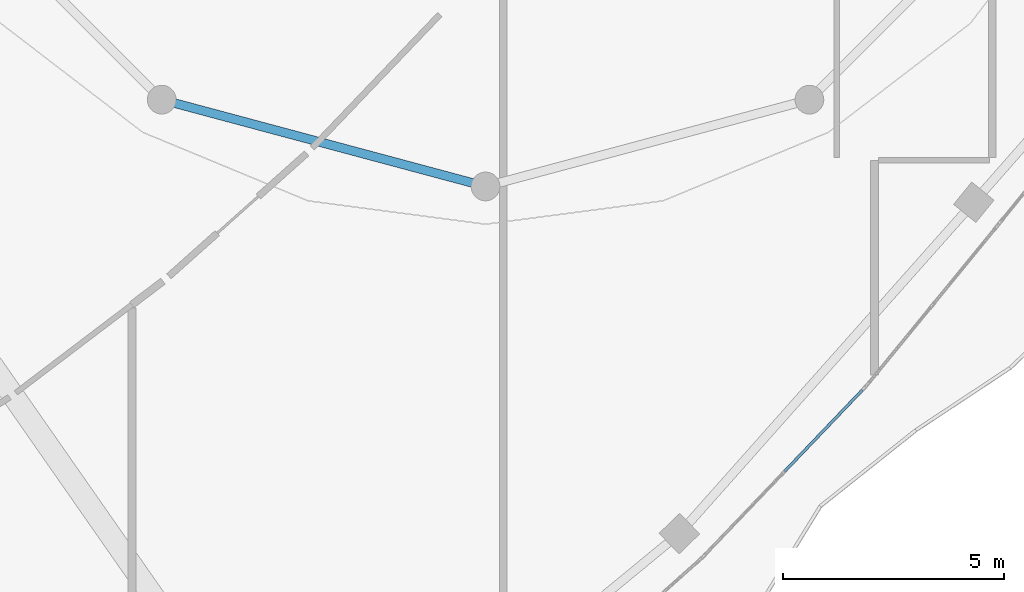
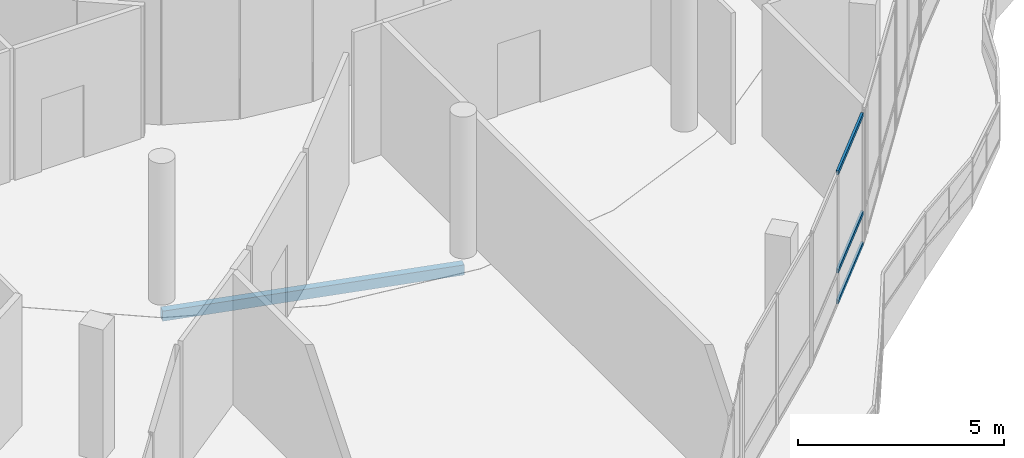
# One storey, part 51 of 184: 3 members, 1 beam, 1 element without a shape of its own.
"""IFC4 building model written with IfcOpenShell, lengths in metres."""

from ifc_helpers import new_model, si_unit, direction, frame, origin, origin_2d, place, context, subcontext, project, spatial, hollow_rectangle, extrude, material, material_profile, profile_set, type_object, element, aggregate, save


model = new_model("IFC4")

# Units and contexts
model_context = context("Model", 3, precision=1e-05, world=origin(), true_north=direction((0.0, 1.0)))
body_context = subcontext(model_context, "Body", "Model", "MODEL_VIEW")
ifc_project = project(units=[si_unit("LENGTHUNIT", "METRE"), si_unit("AREAUNIT", "SQUARE_METRE"), si_unit("VOLUMEUNIT", "CUBIC_METRE"), si_unit("PLANEANGLEUNIT", "RADIAN"), si_unit("MASSUNIT", "GRAM", prefix="KILO")], contexts=[model_context])

# Site, building, storey
site_placement = place(None, origin())
site = spatial("IfcSite", under=ifc_project, at=site_placement, CompositionType="ELEMENT")
building_placement = place(site_placement, origin())
building = spatial("IfcBuilding", under=site, at=building_placement, Name="Selatvlak General Hospital", CompositionType="ELEMENT")
storey_placement = place(building_placement, frame((0.0, 0.0, 15.0)))
storey = spatial("IfcBuildingStorey", under=building, at=storey_placement, Name="L03", CompositionType="ELEMENT", Elevation=15.0)

# Beam
ifc_material_1 = material(Name="Steel S355", Category="steel")
ifc_material_profile_1 = material_profile(ifc_material_1, hollow_rectangle(XDim=0.199951171875, YDim=0.300048828125, WallThickness=0.011962890625, at=origin_2d()), Name="RHS 300x200x12")
ifc_profile_set_1 = profile_set([ifc_material_profile_1], Name="Steel S355")
beam_type = type_object("IfcBeamType", Name="BM-SP3", PredefinedType="SPANDREL", material=ifc_profile_set_1)
beam_placement = place(storey_placement, frame((90.675048828125, 41.31298828125, -0.489990234375), z_axis=(0.965920028052, -0.25884068345, 0.0), x_axis=(0.25884068345, 0.965920028052, 0.0)))
element("IfcBeam", 1, at=beam_placement, inside=storey, type_object=beam_type, Name="Beam BMR-L03-1447", PredefinedType="SPANDREL", context=body_context, shape_type="SweptSolid", body=[
    extrude(hollow_rectangle(XDim=0.199951171875, YDim=0.300048828125, WallThickness=0.011962890625, at=origin_2d()), origin(), (0.0, 0.0, 1.0), 7.58349609375),
])

# Curtain wall, members
ifc_material_2 = material(Name="Solar-control Low-E double glazing", Category="glass")
curtain_wall_type = type_object("IfcCurtainWallType", Name="CW-CW-01", PredefinedType="USERDEFINED", material=ifc_material_2)
curtain_wall_placement = place(storey_placement, origin())
curtain_wall = element("IfcCurtainWall", 2, at=curtain_wall_placement, inside=storey, type_object=curtain_wall_type, Name="Glazed facade curtain wall CW-L03-0417", ObjectType="UNITISED CURTAIN WALL", PredefinedType="USERDEFINED")
ifc_material_3 = material(Name="Dark anodised aluminium mullion", Category="aluminium")
ifc_material_profile_2 = material_profile(ifc_material_3, hollow_rectangle(XDim=0.06494140625, YDim=0.1201171875, WallThickness=0.00390625, at=origin_2d()), Name="AL-TRN 65x120x4")
ifc_profile_set_2 = profile_set([ifc_material_profile_2], Name="Dark anodised aluminium mullion")
member_type = type_object("IfcMemberType", Name="CWT-01", PredefinedType="USERDEFINED", material=ifc_profile_set_2)
member_1_placement = place(storey_placement, frame((106.523193359375, 34.7451171875, 0.032470703125), z_axis=(-0.690961349091, -0.722891702859, 0.0), x_axis=(0.722891702859, -0.690961349091, 0.0)))
member_1 = element("IfcMember", 3, at=member_1_placement, type_object=member_type, Name="CW-01 transom 1.1", ObjectType="TRANSOM", PredefinedType="USERDEFINED", context=body_context, shape_type="SweptSolid", body=[
    extrude(hollow_rectangle(XDim=0.06494140625, YDim=0.1201171875, WallThickness=0.00390625, at=origin_2d()), origin(), (0.0, 0.0, 1.0), 2.546142578125),
])
member_2_placement = place(storey_placement, frame((106.523193359375, 34.7451171875, 0.949951171875), z_axis=(-0.690961349091, -0.722891702859, 0.0), x_axis=(0.722891702859, -0.690961349091, 0.0)))
member_2 = element("IfcMember", 4, at=member_2_placement, type_object=member_type, Name="CW-01 transom 1.2", ObjectType="TRANSOM", PredefinedType="USERDEFINED", context=body_context, shape_type="SweptSolid", body=[
    extrude(hollow_rectangle(XDim=0.06494140625, YDim=0.1201171875, WallThickness=0.00390625, at=origin_2d()), origin(), (0.0, 0.0, 1.0), 2.546142578125),
])
member_3_placement = place(storey_placement, frame((106.523193359375, 34.7451171875, 3.862548828125), z_axis=(-0.690961349091, -0.722891702859, 0.0), x_axis=(0.722891702859, -0.690961349091, 0.0)))
member_3 = element("IfcMember", 5, at=member_3_placement, type_object=member_type, Name="CW-01 transom 1.3", ObjectType="TRANSOM", PredefinedType="USERDEFINED", context=body_context, shape_type="SweptSolid", body=[
    extrude(hollow_rectangle(XDim=0.06494140625, YDim=0.1201171875, WallThickness=0.00390625, at=origin_2d()), origin(), (0.0, 0.0, 1.0), 2.546142578125),
])
aggregate(curtain_wall, [member_1, member_2, member_3])

save(model, "model.ifc")
